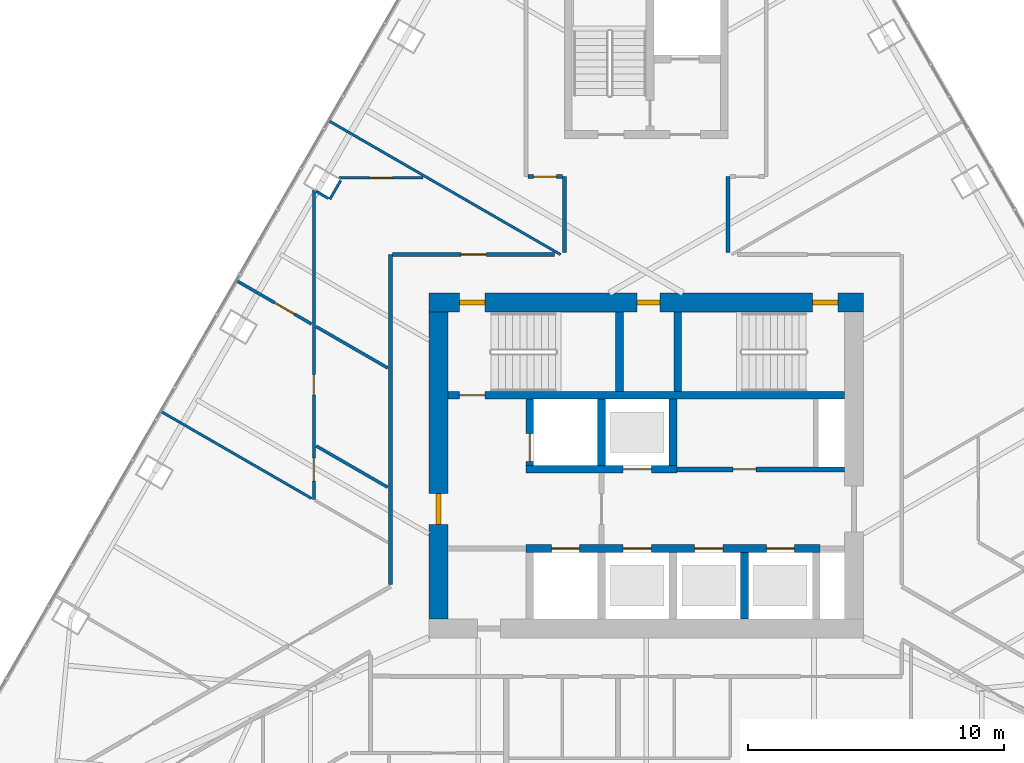
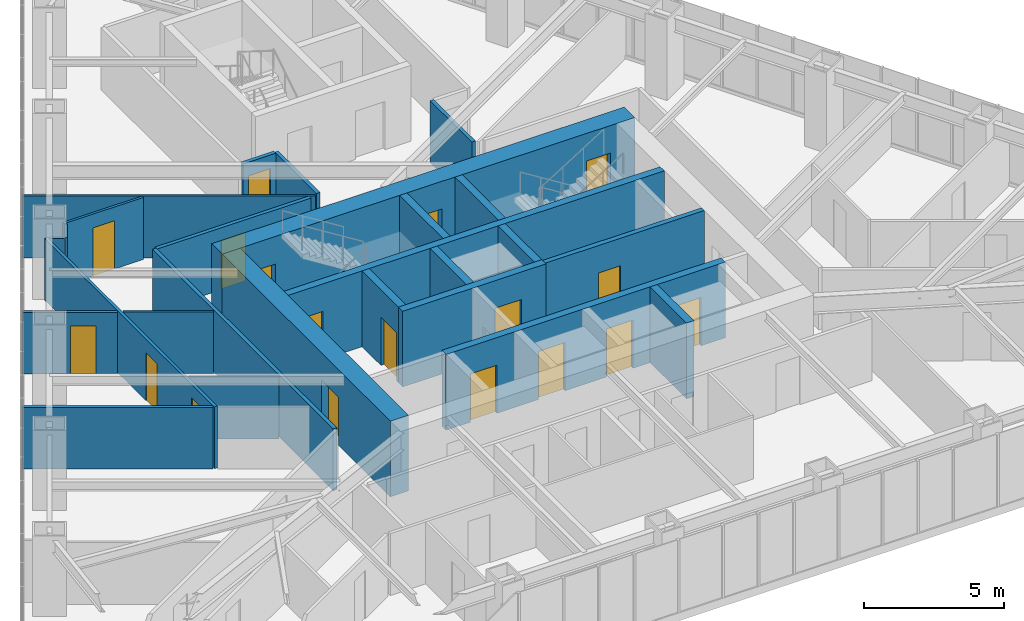
# One storey, part 17 of 21: 26 walls, 18 doors, 18 openings.
"""IFC4 building model written with IfcOpenShell, lengths in metres."""

from ifc_helpers import new_model, si_unit, direction, frame, frame_2d, origin, place, context, subcontext, project, spatial, rectangle, extrude, material, layer, layer_set, type_object, element, fill, save


model = new_model("IFC4")

# Units and contexts
model_context = context("Model", 3, precision=1e-05, world=origin(), true_north=direction((0.0, 1.0)))
body_context = subcontext(model_context, "Body", "Model", "MODEL_VIEW")
ifc_project = project(units=[si_unit("LENGTHUNIT", "METRE"), si_unit("AREAUNIT", "SQUARE_METRE"), si_unit("VOLUMEUNIT", "CUBIC_METRE"), si_unit("PLANEANGLEUNIT", "RADIAN"), si_unit("MASSUNIT", "GRAM", prefix="KILO")], contexts=[model_context])

# Site, building, storey
site_placement = place(None, origin())
site = spatial("IfcSite", under=ifc_project, at=site_placement, CompositionType="ELEMENT")
building_placement = place(site_placement, origin())
building = spatial("IfcBuilding", under=site, at=building_placement, Name="Firuza Gate Tower and Library", CompositionType="ELEMENT")
storey_placement = place(building_placement, frame((0.0, 0.0, 274.10009765625)))
storey = spatial("IfcBuildingStorey", under=building, at=storey_placement, Name="L65", CompositionType="ELEMENT", Elevation=274.10009765625)

# Wall, opening, door
ifc_material_1 = material(Name="Plasterboard on steel studs", Category="steel")
ifc_layer_1 = layer(ifc_material_1, 0.199951171875)
ifc_layer_set_1 = layer_set([ifc_layer_1], Name="Core partition 200 EI 120")
wall_type_1 = type_object("IfcWallType", Name="Core partition 200 EI 120", PredefinedType="PARTITIONING", material=ifc_layer_set_1)
wall_1_placement = place(storey_placement, frame((76.199951171875, 74.85009765625, 0.0), z_axis=(0.0, 0.0, 1.0), x_axis=(1.0, 0.0, 0.0)))
wall_1 = element("IfcWall", 1, at=wall_1_placement, inside=storey, type_object=wall_type_1, Name="Core partition L65 3", PredefinedType="PARTITIONING", context=body_context, shape_type="SweptSolid", body=[
    extrude(rectangle(XDim=6.550048828125, YDim=0.199951171875, at=frame_2d((3.27490234375, 0.0))), origin(), (0.0, 0.0, 1.0), 3.2998046875),
])
opening_1_placement = place(wall_1_placement, frame((2.199951171875, 0.0, 0.0)))
opening_1 = element("IfcOpeningElement", 2, at=opening_1_placement, cuts=wall_1, Name="Opening L65-K18", PredefinedType="OPENING", context=body_context, shape_type="SweptSolid", body=[
    extrude(rectangle(XDim=0.89990234375, YDim=2.10009765625, at=frame_2d((0.449951171875, 1.050048828125))), frame((0.0, 0.10986328125, 0.0), z_axis=(0.0, -1.0, 0.0), x_axis=(1.0, 0.0, 0.0)), (0.0, 0.0, 1.0), 0.219970703125),
])
ifc_material_2 = material(Name="Steel", Category="steel")
door_type_1 = type_object("IfcDoorType", Name="Fire door 900x2100 FD30S", OperationType="NOTDEFINED", PredefinedType="DOOR", material=ifc_material_2)
door_1_placement = place(opening_1_placement, origin())
door_1 = element("IfcDoor", 3, at=door_1_placement, inside=storey, type_object=door_type_1, Name="Door L65-K18", OperationType="SINGLE_SWING_LEFT", OverallHeight=2.10009765625, OverallWidth=0.89990234375, PredefinedType="DOOR", context=body_context, shape_type="SweptSolid", body=[
    extrude(rectangle(XDim=0.89990234375, YDim=2.10009765625, at=frame_2d((0.449951171875, 1.050048828125))), frame((0.0, 0.02490234375, 0.0), z_axis=(0.0, -1.0, 0.0), x_axis=(1.0, 0.0, 0.0)), (0.0, 0.0, 1.0), 0.050048828125),
])
fill(opening_1, door_1)

# Wall, openings, doors
ifc_material_3 = material(Name="Concrete C60/75", Category="concrete")
ifc_layer_2 = layer(ifc_material_3, 0.300048828125)
ifc_layer_set_2 = layer_set([ifc_layer_2], Name="Core wall 300 C60/75")
wall_type_2 = type_object("IfcWallType", Name="Core wall 300 C60/75", PredefinedType="SHEAR", material=ifc_layer_set_2)
wall_2_placement = place(storey_placement, frame((70.300048828125, 71.75, 0.0), z_axis=(0.0, 0.0, 1.0), x_axis=(1.0, 0.0, 0.0)))
wall_2 = element("IfcWall", 4, at=wall_2_placement, inside=storey, type_object=wall_type_2, Name="Core wall L65 5", PredefinedType="SHEAR", context=body_context, shape_type="SweptSolid", body=[
    extrude(rectangle(XDim=11.5, YDim=0.300048828125, at=frame_2d((5.75, 0.0))), origin(), (0.0, 0.0, 1.0), 3.2998046875),
])
opening_2_placement = place(wall_2_placement, frame((1.0, 0.0, 0.0)))
opening_2 = element("IfcOpeningElement", 5, at=opening_2_placement, cuts=wall_2, Name="Opening LD-FF1-L65", PredefinedType="OPENING", context=body_context, shape_type="SweptSolid", body=[
    extrude(rectangle(XDim=1.10009765625, YDim=2.10009765625, at=frame_2d((0.550048828125, 1.050048828125))), frame((0.0, 0.16015625, 0.0), z_axis=(0.0, -1.0, 0.0), x_axis=(1.0, 0.0, 0.0)), (0.0, 0.0, 1.0), 0.320068359375),
])
opening_3_placement = place(wall_2_placement, frame((3.800048828125, 0.0, 0.0)))
opening_3 = element("IfcOpeningElement", 6, at=opening_3_placement, cuts=wall_2, Name="Opening LD-HR1-L65", PredefinedType="OPENING", context=body_context, shape_type="SweptSolid", body=[
    extrude(rectangle(XDim=1.10009765625, YDim=2.10009765625, at=frame_2d((0.550048828125, 1.050048828125))), frame((0.0, 0.16015625, 0.0), z_axis=(0.0, -1.0, 0.0), x_axis=(1.0, 0.0, 0.0)), (0.0, 0.0, 1.0), 0.320068359375),
])
opening_4_placement = place(wall_2_placement, frame((6.60009765625, 0.0, 0.0)))
opening_4 = element("IfcOpeningElement", 7, at=opening_4_placement, cuts=wall_2, Name="Opening LD-HR2-L65", PredefinedType="OPENING", context=body_context, shape_type="SweptSolid", body=[
    extrude(rectangle(XDim=1.10009765625, YDim=2.10009765625, at=frame_2d((0.550048828125, 1.050048828125))), frame((0.0, 0.16015625, 0.0), z_axis=(0.0, -1.0, 0.0), x_axis=(1.0, 0.0, 0.0)), (0.0, 0.0, 1.0), 0.320068359375),
])
opening_5_placement = place(wall_2_placement, frame((9.39990234375, 0.0, 0.0)))
opening_5 = element("IfcOpeningElement", 8, at=opening_5_placement, cuts=wall_2, Name="Opening LD-HR3-L65", PredefinedType="OPENING", context=body_context, shape_type="SweptSolid", body=[
    extrude(rectangle(XDim=1.10009765625, YDim=2.10009765625, at=frame_2d((0.550048828125, 1.050048828125))), frame((0.0, 0.16015625, 0.0), z_axis=(0.0, -1.0, 0.0), x_axis=(1.0, 0.0, 0.0)), (0.0, 0.0, 1.0), 0.320068359375),
])
ifc_material_4 = material(Name="Stainless steel", Category="steel")
door_type_2 = type_object("IfcDoorType", Name="Lift landing door 1100x2100", OperationType="DOUBLE_DOOR_SLIDING", PredefinedType="DOOR", material=ifc_material_4)
door_2_placement = place(opening_2_placement, origin())
door_2 = element("IfcDoor", 9, at=door_2_placement, inside=storey, type_object=door_type_2, Name="Landing door FF1 L65", OperationType="DOUBLE_DOOR_SLIDING", OverallHeight=2.10009765625, OverallWidth=1.10009765625, PredefinedType="DOOR", context=body_context, shape_type="SweptSolid", body=[
    extrude(rectangle(XDim=1.10009765625, YDim=2.10009765625, at=frame_2d((0.550048828125, 1.050048828125))), frame((0.0, 0.02490234375, 0.0), z_axis=(0.0, -1.0, 0.0), x_axis=(1.0, 0.0, 0.0)), (0.0, 0.0, 1.0), 0.050048828125),
])
fill(opening_2, door_2)
door_3_placement = place(opening_3_placement, origin())
door_3 = element("IfcDoor", 10, at=door_3_placement, inside=storey, type_object=door_type_2, Name="Landing door HR1 L65", OperationType="DOUBLE_DOOR_SLIDING", OverallHeight=2.10009765625, OverallWidth=1.10009765625, PredefinedType="DOOR", context=body_context, shape_type="SweptSolid", body=[
    extrude(rectangle(XDim=1.10009765625, YDim=2.10009765625, at=frame_2d((0.550048828125, 1.050048828125))), frame((0.0, 0.02490234375, 0.0), z_axis=(0.0, -1.0, 0.0), x_axis=(1.0, 0.0, 0.0)), (0.0, 0.0, 1.0), 0.050048828125),
])
fill(opening_3, door_3)
door_4_placement = place(opening_4_placement, origin())
door_4 = element("IfcDoor", 11, at=door_4_placement, inside=storey, type_object=door_type_2, Name="Landing door HR2 L65", OperationType="DOUBLE_DOOR_SLIDING", OverallHeight=2.10009765625, OverallWidth=1.10009765625, PredefinedType="DOOR", context=body_context, shape_type="SweptSolid", body=[
    extrude(rectangle(XDim=1.10009765625, YDim=2.10009765625, at=frame_2d((0.550048828125, 1.050048828125))), frame((0.0, 0.02490234375, 0.0), z_axis=(0.0, -1.0, 0.0), x_axis=(1.0, 0.0, 0.0)), (0.0, 0.0, 1.0), 0.050048828125),
])
fill(opening_4, door_4)
door_5_placement = place(opening_5_placement, origin())
door_5 = element("IfcDoor", 12, at=door_5_placement, inside=storey, type_object=door_type_2, Name="Landing door HR3 L65", OperationType="DOUBLE_DOOR_SLIDING", OverallHeight=2.10009765625, OverallWidth=1.10009765625, PredefinedType="DOOR", context=body_context, shape_type="SweptSolid", body=[
    extrude(rectangle(XDim=1.10009765625, YDim=2.10009765625, at=frame_2d((0.550048828125, 1.050048828125))), frame((0.0, 0.02490234375, 0.0), z_axis=(0.0, -1.0, 0.0), x_axis=(1.0, 0.0, 0.0)), (0.0, 0.0, 1.0), 0.050048828125),
])
fill(opening_5, door_5)

# Wall, opening, door
wall_3_placement = place(storey_placement, frame((70.300048828125, 74.85009765625, 0.0), z_axis=(0.0, 0.0, 1.0), x_axis=(1.0, 0.0, 0.0)))
wall_3 = element("IfcWall", 13, at=wall_3_placement, inside=storey, type_object=wall_type_2, Name="Core wall L65 6", PredefinedType="SHEAR", context=body_context, shape_type="SweptSolid", body=[
    extrude(rectangle(XDim=5.89990234375, YDim=0.300048828125, at=frame_2d((2.949951171875, 0.0))), origin(), (0.0, 0.0, 1.0), 3.2998046875),
])
opening_6_placement = place(wall_3_placement, frame((3.800048828125, 0.0, 0.0)))
opening_6 = element("IfcOpeningElement", 14, at=opening_6_placement, cuts=wall_3, Name="Opening LD-HR4-L65", PredefinedType="OPENING", context=body_context, shape_type="SweptSolid", body=[
    extrude(rectangle(XDim=1.10009765625, YDim=2.10009765625, at=frame_2d((0.550048828125, 1.050048828125))), frame((0.0, 0.16015625, 0.0), z_axis=(0.0, -1.0, 0.0), x_axis=(1.0, 0.0, 0.0)), (0.0, 0.0, 1.0), 0.320068359375),
])
door_6_placement = place(opening_6_placement, origin())
door_6 = element("IfcDoor", 15, at=door_6_placement, inside=storey, type_object=door_type_2, Name="Landing door HR4 L65", OperationType="DOUBLE_DOOR_SLIDING", OverallHeight=2.10009765625, OverallWidth=1.10009765625, PredefinedType="DOOR", context=body_context, shape_type="SweptSolid", body=[
    extrude(rectangle(XDim=1.10009765625, YDim=2.10009765625, at=frame_2d((0.550048828125, 1.050048828125))), frame((0.0, 0.02490234375, 0.0), z_axis=(0.0, -1.0, 0.0), x_axis=(1.0, 0.0, 0.0)), (0.0, 0.0, 1.0), 0.050048828125),
])
fill(opening_6, door_6)

wall_4_placement = place(storey_placement, frame((70.449951171875, 75.0, 0.0), z_axis=(0.0, 0.0, 1.0), x_axis=(0.0, 1.0, 0.0)))
wall_4 = element("IfcWall", 16, at=wall_4_placement, inside=storey, type_object=wall_type_2, Name="Core wall L65 8", PredefinedType="SHEAR", context=body_context, shape_type="SweptSolid", body=[
    extrude(rectangle(XDim=2.60009765625, YDim=0.300048828125, at=frame_2d((1.300048828125, 0.0))), origin(), (0.0, 0.0, 1.0), 3.2998046875),
])
opening_7_placement = place(wall_4_placement, frame((0.14990234375, 0.0, 0.0)))
opening_7 = element("IfcOpeningElement", 17, at=opening_7_placement, cuts=wall_4, Name="Opening LD-FF2-L65", PredefinedType="OPENING", context=body_context, shape_type="SweptSolid", body=[
    extrude(rectangle(XDim=1.10009765625, YDim=2.10009765625, at=frame_2d((0.550048828125, 1.050048828125))), frame((0.0, 0.16015625, 0.0), z_axis=(0.0, -1.0, 0.0), x_axis=(1.0, 0.0, 0.0)), (0.0, 0.0, 1.0), 0.320068359375),
])
door_7_placement = place(opening_7_placement, origin())
door_7 = element("IfcDoor", 18, at=door_7_placement, inside=storey, type_object=door_type_2, Name="Landing door FF2 L65", OperationType="DOUBLE_DOOR_SLIDING", OverallHeight=2.10009765625, OverallWidth=1.10009765625, PredefinedType="DOOR", context=body_context, shape_type="SweptSolid", body=[
    extrude(rectangle(XDim=1.10009765625, YDim=2.10009765625, at=frame_2d((0.550048828125, 1.050048828125))), frame((0.0, 0.02490234375, 0.0), z_axis=(0.0, -1.0, 0.0), x_axis=(1.0, 0.0, 0.0)), (0.0, 0.0, 1.0), 0.050048828125),
])
fill(opening_7, door_7)

# Walls
for number, where, z_axis, x_axis, name in (
    (19, (73.25, 75.0, 0.0), (0.0, 0.0, 1.0), (0.0, 1.0, 0.0), "Core wall L65 10"),
    (20, (76.050048828125, 75.0, 0.0), (0.0, 0.0, 1.0), (0.0, 1.0, 0.0), "Core wall L65 12"),
    (21, (78.85009765625, 69.0, 0.0), (0.0, 0.0, 1.0), (0.0, 1.0, 0.0), "Core wall L65 13"),
):
    element("IfcWall", number, at=place(storey_placement, frame(where, z_axis=z_axis, x_axis=x_axis)), inside=storey, type_object=wall_type_2, Name=name, PredefinedType="SHEAR", context=body_context, shape_type="SweptSolid", body=[
        extrude(rectangle(XDim=2.60009765625, YDim=0.300048828125, at=frame_2d((1.300048828125, 0.0))), origin(), (0.0, 0.0, 1.0), 3.2998046875),
    ])

# Wall, opening, door
wall_5_placement = place(storey_placement, frame((67.25, 77.75, 0.0), z_axis=(0.0, 0.0, 1.0), x_axis=(1.0, 0.0, 0.0)))
wall_5 = element("IfcWall", 22, at=wall_5_placement, inside=storey, type_object=wall_type_2, Name="Core wall L65 15", PredefinedType="SHEAR", context=body_context, shape_type="SweptSolid", body=[
    extrude(rectangle(XDim=15.5, YDim=0.300048828125, at=frame_2d((7.75, 0.0))), origin(), (0.0, 0.0, 1.0), 3.2998046875),
])
opening_8_placement = place(wall_5_placement, frame((0.445068359375, 0.0, 0.0)))
opening_8 = element("IfcOpeningElement", 23, at=opening_8_placement, cuts=wall_5, Name="Opening L65-K08", PredefinedType="OPENING", context=body_context, shape_type="SweptSolid", body=[
    extrude(rectangle(XDim=1.0, YDim=2.10009765625, at=frame_2d((0.5, 1.050048828125))), frame((0.0, 0.16015625, 0.0), z_axis=(0.0, -1.0, 0.0), x_axis=(1.0, 0.0, 0.0)), (0.0, 0.0, 1.0), 0.320068359375),
])
ifc_material_5 = material(Name="Steel", Category="steel")
door_type_3 = type_object("IfcDoorType", Name="Fire door 1000x2100 FD90", OperationType="NOTDEFINED", PredefinedType="DOOR", material=ifc_material_5)
door_8_placement = place(opening_8_placement, origin())
door_8 = element("IfcDoor", 24, at=door_8_placement, inside=storey, type_object=door_type_3, Name="Door L65-K08", OperationType="SINGLE_SWING_LEFT", OverallHeight=2.10009765625, OverallWidth=1.0, PredefinedType="DOOR", context=body_context, shape_type="SweptSolid", body=[
    extrude(rectangle(XDim=1.0, YDim=2.10009765625, at=frame_2d((0.5, 1.050048828125))), frame((0.0, 0.02490234375, 0.0), z_axis=(0.0, -1.0, 0.0), x_axis=(1.0, 0.0, 0.0)), (0.0, 0.0, 1.0), 0.050048828125),
])
fill(opening_8, door_8)

# Walls
for number, where, z_axis, x_axis, name in (
    (25, (73.9599609375, 77.89990234375, 0.0), (0.0, 0.0, 1.0), (0.0, 1.0, 0.0), "Core wall L65 16"),
    (26, (76.239990234375, 77.89990234375, 0.0), (0.0, 0.0, 1.0), (0.0, 1.0, 0.0), "Core wall L65 17"),
):
    element("IfcWall", number, at=place(storey_placement, frame(where, z_axis=z_axis, x_axis=x_axis)), inside=storey, type_object=wall_type_2, Name=name, PredefinedType="SHEAR", context=body_context, shape_type="SweptSolid", body=[
        extrude(rectangle(XDim=3.10009765625, YDim=0.300048828125, at=frame_2d((1.550048828125, 0.0))), origin(), (0.0, 0.0, 1.0), 3.2998046875),
    ])

# Wall, openings, doors
ifc_material_6 = material(Name="Concrete C60/75", Category="concrete")
ifc_layer_3 = layer(ifc_material_6, 0.75)
ifc_layer_set_3 = layer_set([ifc_layer_3], Name="Core wall 750 C60/75")
wall_type_3 = type_object("IfcWallType", Name="Core wall 750 C60/75", PredefinedType="SHEAR", material=ifc_layer_set_3)
wall_6_placement = place(storey_placement, frame((66.5, 81.375, 0.0), z_axis=(0.0, 0.0, 1.0), x_axis=(1.0, 0.0, 0.0)))
wall_6 = element("IfcWall", 27, at=wall_6_placement, inside=storey, type_object=wall_type_3, Name="Core wall L65 2", PredefinedType="SHEAR", context=body_context, shape_type="SweptSolid", body=[
    extrude(rectangle(XDim=17.0, YDim=0.75, at=frame_2d((8.5, 0.0))), origin(), (0.0, 0.0, 1.0), 3.2998046875),
])
opening_9_placement = place(wall_6_placement, frame((1.195068359375, 0.0, 0.0)))
opening_9 = element("IfcOpeningElement", 28, at=opening_9_placement, cuts=wall_6, Name="Opening L65-K09", PredefinedType="OPENING", context=body_context, shape_type="SweptSolid", body=[
    extrude(rectangle(XDim=1.0, YDim=2.10009765625, at=frame_2d((0.5, 1.050048828125))), frame((0.0, 0.385009765625, 0.0), z_axis=(0.0, -1.0, 0.0), x_axis=(1.0, 0.0, 0.0)), (0.0, 0.0, 1.0), 0.77001953125),
])
opening_10_placement = place(wall_6_placement, frame((15.0048828125, 0.0, 0.0)))
opening_10 = element("IfcOpeningElement", 29, at=opening_10_placement, cuts=wall_6, Name="Opening L65-K10", PredefinedType="OPENING", context=body_context, shape_type="SweptSolid", body=[
    extrude(rectangle(XDim=1.0, YDim=2.10009765625, at=frame_2d((0.5, 1.050048828125))), frame((0.0, 0.385009765625, 0.0), z_axis=(0.0, -1.0, 0.0), x_axis=(1.0, 0.0, 0.0)), (0.0, 0.0, 1.0), 0.77001953125),
])
opening_11_placement = place(wall_6_placement, frame((8.14990234375, 0.0, 0.0)))
opening_11 = element("IfcOpeningElement", 30, at=opening_11_placement, cuts=wall_6, Name="Opening L65-K19", PredefinedType="OPENING", context=body_context, shape_type="SweptSolid", body=[
    extrude(rectangle(XDim=0.89990234375, YDim=2.10009765625, at=frame_2d((0.449951171875, 1.050048828125))), frame((0.0, 0.385009765625, 0.0), z_axis=(0.0, -1.0, 0.0), x_axis=(1.0, 0.0, 0.0)), (0.0, 0.0, 1.0), 0.77001953125),
])
door_9_placement = place(opening_9_placement, origin())
door_9 = element("IfcDoor", 31, at=door_9_placement, inside=storey, type_object=door_type_3, Name="Door L65-K09", OperationType="SINGLE_SWING_RIGHT", OverallHeight=2.10009765625, OverallWidth=1.0, PredefinedType="DOOR", context=body_context, shape_type="SweptSolid", body=[
    extrude(rectangle(XDim=1.0, YDim=2.10009765625, at=frame_2d((0.5, 1.050048828125))), frame((0.0, 0.094970703125, 0.0), z_axis=(0.0, -1.0, 0.0), x_axis=(1.0, 0.0, 0.0)), (0.0, 0.0, 1.0), 0.18994140625),
])
fill(opening_9, door_9)
door_10_placement = place(opening_10_placement, origin())
door_10 = element("IfcDoor", 32, at=door_10_placement, inside=storey, type_object=door_type_3, Name="Door L65-K10", OperationType="SINGLE_SWING_LEFT", OverallHeight=2.10009765625, OverallWidth=1.0, PredefinedType="DOOR", context=body_context, shape_type="SweptSolid", body=[
    extrude(rectangle(XDim=1.0, YDim=2.10009765625, at=frame_2d((0.5, 1.050048828125))), frame((0.0, 0.094970703125, 0.0), z_axis=(0.0, -1.0, 0.0), x_axis=(1.0, 0.0, 0.0)), (0.0, 0.0, 1.0), 0.18994140625),
])
fill(opening_10, door_10)
door_11_placement = place(opening_11_placement, origin())
door_11 = element("IfcDoor", 33, at=door_11_placement, inside=storey, type_object=door_type_1, Name="Door L65-K19", OperationType="SINGLE_SWING_RIGHT", OverallHeight=2.10009765625, OverallWidth=0.89990234375, PredefinedType="DOOR", context=body_context, shape_type="SweptSolid", body=[
    extrude(rectangle(XDim=0.89990234375, YDim=2.10009765625, at=frame_2d((0.449951171875, 1.050048828125))), frame((0.0, 0.094970703125, 0.0), z_axis=(0.0, -1.0, 0.0), x_axis=(1.0, 0.0, 0.0)), (0.0, 0.0, 1.0), 0.18994140625),
])
fill(opening_11, door_11)

# Wall, opening, door
wall_7_placement = place(storey_placement, frame((66.875, 69.0, 0.0), z_axis=(0.0, 0.0, 1.0), x_axis=(0.0, 1.0, 0.0)))
wall_7 = element("IfcWall", 34, at=wall_7_placement, inside=storey, type_object=wall_type_3, Name="Core wall L65 3", PredefinedType="SHEAR", context=body_context, shape_type="SweptSolid", body=[
    extrude(rectangle(XDim=12.0, YDim=0.75, at=frame_2d((6.0, 0.0))), origin(), (0.0, 0.0, 1.0), 3.2998046875),
])
opening_12_placement = place(wall_7_placement, frame((3.699951171875, 0.0, 0.0)))
opening_12 = element("IfcOpeningElement", 35, at=opening_12_placement, cuts=wall_7, Name="Opening L65-K15", PredefinedType="OPENING", context=body_context, shape_type="SweptSolid", body=[
    extrude(rectangle(XDim=1.199951171875, YDim=2.10009765625, at=frame_2d((0.60009765625, 1.050048828125))), frame((0.0, 0.385009765625, 0.0), z_axis=(0.0, -1.0, 0.0), x_axis=(1.0, 0.0, 0.0)), (0.0, 0.0, 1.0), 0.77001953125),
])
ifc_material_7 = material(Name="Steel", Category="steel")
door_type_4 = type_object("IfcDoorType", Name="Fire door 1200x2100 FD90S", OperationType="NOTDEFINED", PredefinedType="DOOR", material=ifc_material_7)
door_12_placement = place(opening_12_placement, origin())
door_12 = element("IfcDoor", 36, at=door_12_placement, inside=storey, type_object=door_type_4, Name="Door L65-K15", OperationType="SINGLE_SWING_RIGHT", OverallHeight=2.10009765625, OverallWidth=1.199951171875, PredefinedType="DOOR", context=body_context, shape_type="SweptSolid", body=[
    extrude(rectangle(XDim=1.199951171875, YDim=2.10009765625, at=frame_2d((0.60009765625, 1.050048828125))), frame((0.0, 0.094970703125, 0.0), z_axis=(0.0, -1.0, 0.0), x_axis=(1.0, 0.0, 0.0)), (0.0, 0.0, 1.0), 0.18994140625),
])
fill(opening_12, door_12)

ifc_material_8 = material(Name="Gypsum board partition")
ifc_layer_4 = layer(ifc_material_8, 0.14990234375)
ifc_layer_set_4 = layer_set([ifc_layer_4], Name="Corridor wall 150 double board on steel studs")
wall_type_4 = type_object("IfcWallType", Name="Corridor wall 150 double board on steel studs", PredefinedType="PARTITIONING", material=ifc_layer_set_4)
wall_8_placement = place(storey_placement, frame((65.074951171875, 83.25, 0.0), z_axis=(0.0, 0.0, 1.0), x_axis=(1.0, 0.0, 0.0)))
wall_8 = element("IfcWall", 37, at=wall_8_placement, inside=storey, type_object=wall_type_4, Name="f:L65:w006", PredefinedType="PARTITIONING", context=body_context, shape_type="SweptSolid", body=[
    extrude(rectangle(XDim=6.344970703125, YDim=0.14990234375, at=frame_2d((3.17236328125, 0.0))), origin(), (0.0, 0.0, 1.0), 2.699951171875),
])
opening_13_placement = place(wall_8_placement, frame((2.67236328125, 0.0, 0.0)))
opening_13 = element("IfcOpeningElement", 38, at=opening_13_placement, cuts=wall_8, Name="Opening L65-07", PredefinedType="OPENING", context=body_context, shape_type="SweptSolid", body=[
    extrude(rectangle(XDim=1.0, YDim=2.10009765625, at=frame_2d((0.5, 1.050048828125))), frame((0.0, 0.0849609375, 0.0), z_axis=(0.0, -1.0, 0.0), x_axis=(1.0, 0.0, 0.0)), (0.0, 0.0, 1.0), 0.169921875),
])
ifc_material_9 = material(Name="Steel door and timber leaf", Category="steel")
door_type_5 = type_object("IfcDoorType", Name="Fire door 1000 x 2100 steel frame, timber leaf", OperationType="NOTDEFINED", PredefinedType="DOOR", material=ifc_material_9)
door_13_placement = place(opening_13_placement, origin())
door_13 = element("IfcDoor", 39, at=door_13_placement, inside=storey, type_object=door_type_5, Name="f:L65:d007", OperationType="SINGLE_SWING_RIGHT", OverallHeight=2.10009765625, OverallWidth=1.0, PredefinedType="DOOR", context=body_context, shape_type="SweptSolid", body=[
    extrude(rectangle(XDim=1.0, YDim=2.10009765625, at=frame_2d((0.5, 1.050048828125))), frame((0.0, 0.02490234375, 0.0), z_axis=(0.0, -1.0, 0.0), x_axis=(1.0, 0.0, 0.0)), (0.0, 0.0, 1.0), 0.050048828125),
])
fill(opening_13, door_13)

wall_9_placement = place(storey_placement, frame((70.376953125, 86.300048828125, 0.0), z_axis=(0.0, 0.0, 1.0), x_axis=(1.0, 0.0, 0.0)))
wall_9 = element("IfcWall", 40, at=wall_9_placement, inside=storey, type_object=wall_type_4, Name="f:L65:w009", PredefinedType="PARTITIONING", context=body_context, shape_type="SweptSolid", body=[
    extrude(rectangle(XDim=1.347900390625, YDim=0.14990234375, at=frame_2d((0.673828125, 0.0))), origin(), (0.0, 0.0, 1.0), 2.699951171875),
])
opening_14_placement = place(wall_9_placement, frame((0.223876953125, 0.0, 0.0)))
opening_14 = element("IfcOpeningElement", 41, at=opening_14_placement, cuts=wall_9, Name="Opening L65-10", PredefinedType="OPENING", context=body_context, shape_type="SweptSolid", body=[
    extrude(rectangle(XDim=0.89990234375, YDim=2.10009765625, at=frame_2d((0.449951171875, 1.050048828125))), frame((0.0, 0.0849609375, 0.0), z_axis=(0.0, -1.0, 0.0), x_axis=(1.0, 0.0, 0.0)), (0.0, 0.0, 1.0), 0.169921875),
])
ifc_material_10 = material(Name="Steel door and timber leaf", Category="steel")
door_type_6 = type_object("IfcDoorType", Name="Fire door 900 x 2100 steel frame, timber leaf", OperationType="NOTDEFINED", PredefinedType="DOOR", material=ifc_material_10)
door_14_placement = place(opening_14_placement, origin())
door_14 = element("IfcDoor", 42, at=door_14_placement, inside=storey, type_object=door_type_6, Name="f:L65:d010", OperationType="SINGLE_SWING_RIGHT", OverallHeight=2.10009765625, OverallWidth=0.89990234375, PredefinedType="DOOR", context=body_context, shape_type="SweptSolid", body=[
    extrude(rectangle(XDim=0.89990234375, YDim=2.10009765625, at=frame_2d((0.449951171875, 1.050048828125))), frame((0.0, 0.02490234375, 0.0), z_axis=(0.0, -1.0, 0.0), x_axis=(1.0, 0.0, 0.0)), (0.0, 0.0, 1.0), 0.050048828125),
])
fill(opening_14, door_14)

# Walls
for number, where, z_axis, x_axis, name in (
    (43, (78.199951171875, 83.324951171875, 0.0), (0.0, 0.0, 1.0), (0.0, 1.0, 0.0), "f:L65:w035"),
    (44, (71.800048828125, 83.324951171875, 0.0), (0.0, 0.0, 1.0), (0.0, 1.0, 0.0), "f:L65:w042"),
):
    element("IfcWall", number, at=place(storey_placement, frame(where, z_axis=z_axis, x_axis=x_axis)), inside=storey, type_object=wall_type_4, Name=name, PredefinedType="PARTITIONING", context=body_context, shape_type="SweptSolid", body=[
        extrude(rectangle(XDim=2.97509765625, YDim=0.14990234375, at=frame_2d((1.487548828125, 0.0))), origin(), (0.0, 0.0, 1.0), 2.697021484375),
    ])
wall_10_placement = place(storey_placement, frame((65.0, 70.352294921875, 0.0), z_axis=(0.0, 0.0, 1.0), x_axis=(0.0, 1.0, 0.0)))
element("IfcWall", 45, at=wall_10_placement, inside=storey, type_object=wall_type_4, Name="f:L65:w047", PredefinedType="PARTITIONING", context=body_context, shape_type="SweptSolid", body=[
    extrude(rectangle(XDim=12.897705078125, YDim=0.14990234375, at=frame_2d((6.44873046875, 0.0))), origin(), (0.0, 0.0, 1.0), 2.699951171875),
])

# Wall, opening, door
ifc_material_11 = material(Name="Gypsum board partition")
ifc_layer_5 = layer(ifc_material_11, 0.10009765625)
ifc_layer_set_5 = layer_set([ifc_layer_5], Name="Partition 100 gypsum board on steel studs")
wall_type_5 = type_object("IfcWallType", Name="Partition 100 gypsum board on steel studs", PredefinedType="PARTITIONING", material=ifc_layer_set_5)
wall_11_placement = place(storey_placement, frame((66.2666015625, 86.25, 0.0), z_axis=(0.0, 0.0, 1.0), x_axis=(-1.0, 0.0, 0.0)))
wall_11 = element("IfcWall", 46, at=wall_11_placement, inside=storey, type_object=wall_type_5, Name="f:L65:w008", PredefinedType="PARTITIONING", context=body_context, shape_type="SweptSolid", body=[
    extrude(rectangle(XDim=3.286865234375, YDim=0.10009765625, at=frame_2d((1.6435546875, 0.0))), origin(), (0.0, 0.0, 1.0), 2.699951171875),
])
opening_15_placement = place(wall_11_placement, frame((1.193359375, 0.0, 0.0)))
opening_15 = element("IfcOpeningElement", 47, at=opening_15_placement, cuts=wall_11, Name="Opening L65-09", PredefinedType="OPENING", context=body_context, shape_type="SweptSolid", body=[
    extrude(rectangle(XDim=0.89990234375, YDim=2.10009765625, at=frame_2d((0.449951171875, 1.050048828125))), frame((0.0, 0.06005859375, 0.0), z_axis=(0.0, -1.0, 0.0), x_axis=(1.0, 0.0, 0.0)), (0.0, 0.0, 1.0), 0.1201171875),
])
ifc_material_12 = material(Name="Timber door", Category="wood")
door_type_7 = type_object("IfcDoorType", Name="Door 900 x 2100 timber leaf", OperationType="NOTDEFINED", PredefinedType="DOOR", material=ifc_material_12)
door_15_placement = place(opening_15_placement, origin())
door_15 = element("IfcDoor", 48, at=door_15_placement, inside=storey, type_object=door_type_7, Name="f:L65:d009", OperationType="SINGLE_SWING_RIGHT", OverallHeight=2.10009765625, OverallWidth=0.89990234375, PredefinedType="DOOR", context=body_context, shape_type="SweptSolid", body=[
    extrude(rectangle(XDim=0.89990234375, YDim=2.10009765625, at=frame_2d((0.449951171875, 1.050048828125))), frame((0.0, 0.02490234375, 0.0), z_axis=(0.0, -1.0, 0.0), x_axis=(1.0, 0.0, 0.0)), (0.0, 0.0, 1.0), 0.050048828125),
])
fill(opening_15, door_15)

# Walls
wall_12_placement = place(storey_placement, frame((62.625732421875, 85.4150390625, 0.0), z_axis=(0.0, 0.0, 1.0), x_axis=(0.499973348067, 0.866040790738, 0.0)))
element("IfcWall", 49, at=wall_12_placement, inside=storey, type_object=wall_type_5, Name="f:L65:w027", PredefinedType="PARTITIONING", context=body_context, shape_type="SweptSolid", body=[
    extrude(rectangle(XDim=0.84228515625, YDim=0.10009765625, at=frame_2d((0.421142578125, 0.0))), origin(), (0.0, 0.0, 1.0), 2.699951171875),
])
wall_13_placement = place(storey_placement, frame((71.65283203125, 83.25, 0.0), z_axis=(0.0, 0.0, 1.0), x_axis=(-0.866025448133, 0.499999923186, 0.0)))
element("IfcWall", 50, at=wall_13_placement, inside=storey, type_object=wall_type_5, Name="f:L65:w054", PredefinedType="PARTITIONING", context=body_context, shape_type="SweptSolid", body=[
    extrude(rectangle(XDim=10.4599609375, YDim=0.10009765625, at=frame_2d((5.22998046875, 0.0))), origin(), (0.0, 0.0, 1.0), 2.68798828125),
])
wall_14_placement = place(storey_placement, frame((62.57421875, 85.4453125, 0.0), z_axis=(0.0, 0.0, 1.0), x_axis=(-0.866048512801, 0.499959971872, 0.0)))
element("IfcWall", 51, at=wall_14_placement, inside=storey, type_object=wall_type_5, Name="f:L65:w056", PredefinedType="PARTITIONING", context=body_context, shape_type="SweptSolid", body=[
    extrude(rectangle(XDim=0.5634765625, YDim=0.10009765625, at=frame_2d((0.28173828125, 0.0))), origin(), (0.0, 0.0, 1.0), 2.68798828125),
])
wall_15_placement = place(storey_placement, frame((61.9150390625, 73.709716796875, 0.0), z_axis=(0.0, 0.0, 1.0), x_axis=(-0.866024081565, 0.500002290144, 0.0)))
element("IfcWall", 52, at=wall_15_placement, inside=storey, type_object=wall_type_5, Name="f:L65:w066", PredefinedType="PARTITIONING", context=body_context, shape_type="SweptSolid", body=[
    extrude(rectangle(XDim=6.796875, YDim=0.10009765625, at=frame_2d((3.3984375, 0.0))), origin(), (0.0, 0.0, 1.0), 2.68798828125),
])

# Wall, openings, doors
ifc_material_13 = material(Name="Gypsum board partition")
ifc_layer_6 = layer(ifc_material_13, 0.1201171875)
ifc_layer_set_6 = layer_set([ifc_layer_6], Name="Wet-area partition 120 moisture-resistant board")
wall_type_6 = type_object("IfcWallType", Name="Wet-area partition 120 moisture-resistant board", PredefinedType="PARTITIONING", material=ifc_layer_set_6)
wall_16_placement = place(storey_placement, frame((62.0, 85.7763671875, 0.0), z_axis=(0.0, 0.0, 1.0), x_axis=(0.0, -1.0, 0.0)))
wall_16 = element("IfcWall", 53, at=wall_16_placement, inside=storey, type_object=wall_type_6, Name="f:L65:w050", PredefinedType="PARTITIONING", context=body_context, shape_type="SweptSolid", body=[
    extrude(rectangle(XDim=12.115234375, YDim=0.1201171875, at=frame_2d((6.0576171875, 0.0))), origin(), (0.0, 0.0, 1.0), 2.68798828125),
])
opening_16_placement = place(wall_16_placement, frame((7.225830078125, 0.0, 0.0)))
opening_16 = element("IfcOpeningElement", 54, at=opening_16_placement, cuts=wall_16, Name="Opening L65-20", PredefinedType="OPENING", context=body_context, shape_type="SweptSolid", body=[
    extrude(rectangle(XDim=0.800048828125, YDim=2.10009765625, at=frame_2d((0.39990234375, 1.050048828125))), frame((0.0, 0.070068359375, 0.0), z_axis=(0.0, -1.0, 0.0), x_axis=(1.0, 0.0, 0.0)), (0.0, 0.0, 1.0), 0.14013671875),
])
opening_17_placement = place(wall_16_placement, frame((10.4873046875, 0.0, 0.0)))
opening_17 = element("IfcOpeningElement", 55, at=opening_17_placement, cuts=wall_16, Name="Opening L65-21", PredefinedType="OPENING", context=body_context, shape_type="SweptSolid", body=[
    extrude(rectangle(XDim=0.89990234375, YDim=2.10009765625, at=frame_2d((0.449951171875, 1.050048828125))), frame((0.0, 0.070068359375, 0.0), z_axis=(0.0, -1.0, 0.0), x_axis=(1.0, 0.0, 0.0)), (0.0, 0.0, 1.0), 0.14013671875),
])
ifc_material_14 = material(Name="Timber door", Category="wood")
door_type_8 = type_object("IfcDoorType", Name="Door 800 x 2100 timber leaf", OperationType="NOTDEFINED", PredefinedType="DOOR", material=ifc_material_14)
door_16_placement = place(opening_16_placement, origin())
door_16 = element("IfcDoor", 56, at=door_16_placement, inside=storey, type_object=door_type_8, Name="f:L65:d020", OperationType="SINGLE_SWING_RIGHT", OverallHeight=2.10009765625, OverallWidth=0.800048828125, PredefinedType="DOOR", context=body_context, shape_type="SweptSolid", body=[
    extrude(rectangle(XDim=0.800048828125, YDim=2.10009765625, at=frame_2d((0.39990234375, 1.050048828125))), frame((0.0, 0.02490234375, 0.0), z_axis=(0.0, -1.0, 0.0), x_axis=(1.0, 0.0, 0.0)), (0.0, 0.0, 1.0), 0.050048828125),
])
fill(opening_16, door_16)
door_17_placement = place(opening_17_placement, origin())
door_17 = element("IfcDoor", 57, at=door_17_placement, inside=storey, type_object=door_type_7, Name="f:L65:d021", OperationType="SINGLE_SWING_LEFT", OverallHeight=2.10009765625, OverallWidth=0.89990234375, PredefinedType="DOOR", context=body_context, shape_type="SweptSolid", body=[
    extrude(rectangle(XDim=0.89990234375, YDim=2.10009765625, at=frame_2d((0.449951171875, 1.050048828125))), frame((0.0, 0.02490234375, 0.0), z_axis=(0.0, -1.0, 0.0), x_axis=(1.0, 0.0, 0.0)), (0.0, 0.0, 1.0), 0.050048828125),
])
fill(opening_17, door_17)

# Walls
wall_17_placement = place(storey_placement, frame((64.890380859375, 78.815185546875, 0.0), z_axis=(0.0, 0.0, 1.0), x_axis=(-0.866032190624, 0.499988244665, 0.0)))
element("IfcWall", 58, at=wall_17_placement, inside=storey, type_object=wall_type_6, Name="f:L65:w060", PredefinedType="PARTITIONING", context=body_context, shape_type="SweptSolid", body=[
    extrude(rectangle(XDim=3.2333984375, YDim=0.1201171875, at=frame_2d((1.61669921875, 0.0))), origin(), (0.0, 0.0, 1.0), 2.699951171875),
])
wall_18_placement = place(storey_placement, frame((64.890625, 74.148681640625, 0.0), z_axis=(0.0, 0.0, 1.0), x_axis=(-0.866019355129, 0.500010476433, 0.0)))
element("IfcWall", 59, at=wall_18_placement, inside=storey, type_object=wall_type_6, Name="f:L65:w061", PredefinedType="PARTITIONING", context=body_context, shape_type="SweptSolid", body=[
    extrude(rectangle(XDim=3.228515625, YDim=0.1201171875, at=frame_2d((1.6142578125, 0.0))), origin(), (0.0, 0.0, 1.0), 2.699951171875),
])

# Wall, opening, door
wall_19_placement = place(storey_placement, frame((61.909912109375, 80.53564453125, 0.0), z_axis=(0.0, 0.0, 1.0), x_axis=(-0.866002725405, 0.500039278049, 0.0)))
wall_19 = element("IfcWall", 60, at=wall_19_placement, inside=storey, type_object=wall_type_6, Name="f:L65:w065", PredefinedType="PARTITIONING", context=body_context, shape_type="SweptSolid", body=[
    extrude(rectangle(XDim=3.379638671875, YDim=0.1201171875, at=frame_2d((1.68994140625, 0.0))), origin(), (0.0, 0.0, 1.0), 2.68798828125),
])
opening_18_placement = place(wall_19_placement, frame((0.759765625, 0.0, 0.0)))
opening_18 = element("IfcOpeningElement", 61, at=opening_18_placement, cuts=wall_19, Name="Opening L65-27", PredefinedType="OPENING", context=body_context, shape_type="SweptSolid", body=[
    extrude(rectangle(XDim=0.89990234375, YDim=2.10009765625, at=frame_2d((0.449951171875, 1.050048828125))), frame((0.0, 0.070068359375, 0.0), z_axis=(0.0, -1.0, 0.0), x_axis=(1.0, 0.0, 0.0)), (0.0, 0.0, 1.0), 0.14013671875),
])
door_18_placement = place(opening_18_placement, origin())
door_18 = element("IfcDoor", 62, at=door_18_placement, inside=storey, type_object=door_type_7, Name="f:L65:d027", OperationType="SINGLE_SWING_LEFT", OverallHeight=2.10009765625, OverallWidth=0.89990234375, PredefinedType="DOOR", context=body_context, shape_type="SweptSolid", body=[
    extrude(rectangle(XDim=0.89990234375, YDim=2.10009765625, at=frame_2d((0.449951171875, 1.050048828125))), frame((0.0, 0.02490234375, 0.0), z_axis=(0.0, -1.0, 0.0), x_axis=(1.0, 0.0, 0.0)), (0.0, 0.0, 1.0), 0.050048828125),
])
fill(opening_18, door_18)

save(model, "model.ifc")
